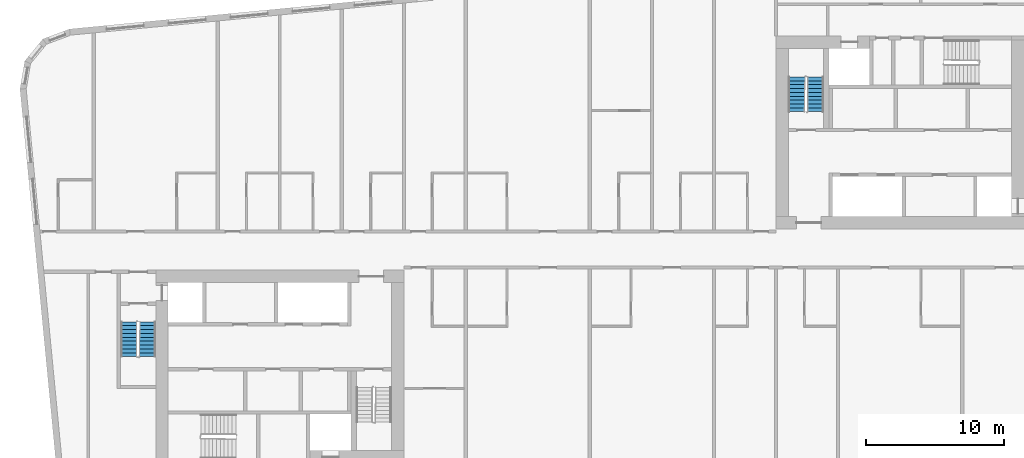
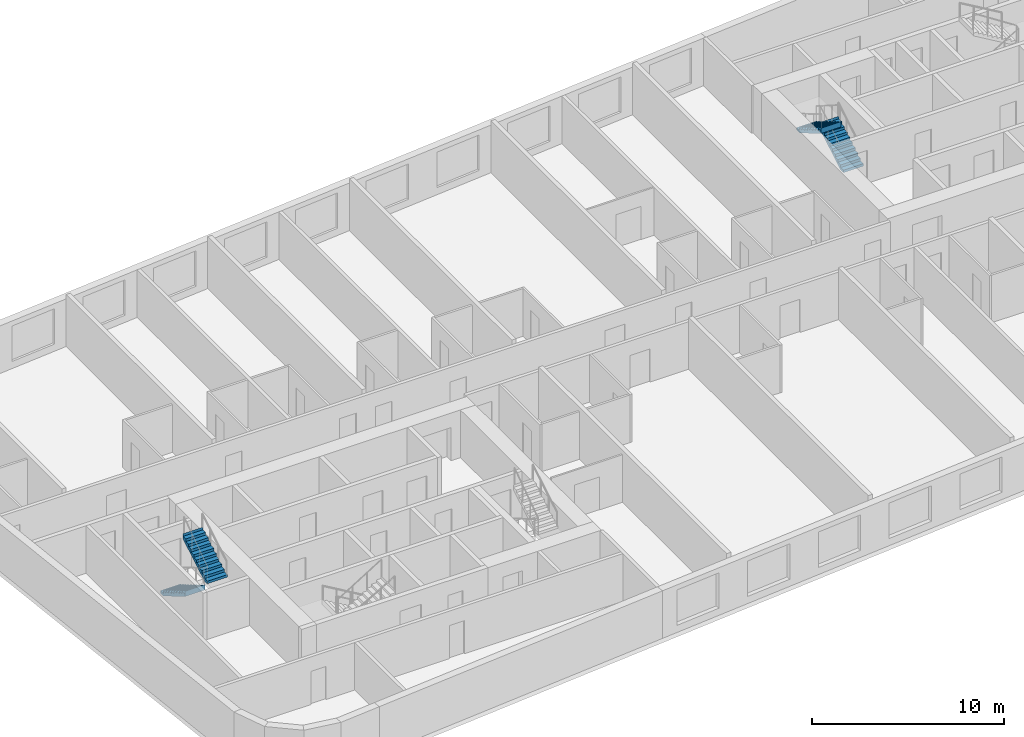
# One storey, part 9 of 11: 4 stair flights, 2 elements without a shape of their own.
"""IFC4 building model written with IfcOpenShell, lengths in metres."""

from ifc_helpers import new_model, si_unit, direction, frame, origin, place, context, subcontext, project, spatial, faceted_brep, material, type_object, element, aggregate, save


model = new_model("IFC4")

# Units and contexts
model_context = context("Model", 3, precision=1e-05, world=origin(), true_north=direction((0.0, 1.0)))
body_context = subcontext(model_context, "Body", "Model", "MODEL_VIEW")
ifc_project = project(units=[si_unit("LENGTHUNIT", "METRE"), si_unit("AREAUNIT", "SQUARE_METRE"), si_unit("VOLUMEUNIT", "CUBIC_METRE"), si_unit("PLANEANGLEUNIT", "RADIAN"), si_unit("MASSUNIT", "GRAM", prefix="KILO")], contexts=[model_context])

# Site, building, storey
site_placement = place(None, origin())
site = spatial("IfcSite", under=ifc_project, at=site_placement, CompositionType="ELEMENT")
building_placement = place(site_placement, origin())
building = spatial("IfcBuilding", under=site, at=building_placement, Name="Kajstack Hotel Tower", CompositionType="ELEMENT")
storey_placement = place(building_placement, frame((0.0, 0.0, 291.60009765625)))
storey = spatial("IfcBuildingStorey", under=building, at=storey_placement, Name="L73", CompositionType="ELEMENT", Elevation=291.60009765625)

# Stair, stair flights
ifc_material = material(Name="Concrete C40/50", Category="concrete")
stair_type = type_object("IfcStairType", Name="Exit stair 1200", PredefinedType="HALF_TURN_STAIR", material=ifc_material)
stair_1_placement = place(storey_placement, origin())
stair_1 = element("IfcStair", 1, at=stair_1_placement, inside=storey, type_object=stair_type, Name="L73 stair W1", PredefinedType="HALF_TURN_STAIR")
stair_flight_type = type_object("IfcStairFlightType", Name="Exit stair flight 1200", PredefinedType="STRAIGHT", material=ifc_material)
stair_flight_1_placement = place(storey_placement, frame((-33.449951171875, -5.25, 0.0), z_axis=(0.0, 0.0, 1.0), x_axis=(0.0, -1.0, 0.0)))
stair_flight_1 = element("IfcStairFlight", 2, at=stair_flight_1_placement, type_object=stair_flight_type, Name="W1 flight 1", NumberOfRisers=10, NumberOfTreads=9, PredefinedType="STRAIGHT", RiserHeight=0.165, TreadLength=0.28, context=body_context, shape_type="Brep", body=[
    faceted_brep([(0.295654296875, -0.60009765625, 0.0), (2.5205078125, -0.60009765625, 1.31103515625), (2.5205078125, -0.60009765625, 1.64990234375), (2.52001953125, -0.60009765625, 1.64990234375), (2.52001953125, -0.60009765625, 1.485107421875), (2.239990234375, -0.60009765625, 1.485107421875), (2.239990234375, -0.60009765625, 1.320068359375), (1.9599609375, -0.60009765625, 1.320068359375), (1.9599609375, -0.60009765625, 1.155029296875), (1.679931640625, -0.60009765625, 1.155029296875), (1.679931640625, -0.60009765625, 0.989990234375), (1.39990234375, -0.60009765625, 0.989990234375), (1.39990234375, -0.60009765625, 0.824951171875), (1.1201171875, -0.60009765625, 0.824951171875), (1.1201171875, -0.60009765625, 0.659912109375), (0.840087890625, -0.60009765625, 0.659912109375), (0.840087890625, -0.60009765625, 0.4951171875), (0.56005859375, -0.60009765625, 0.4951171875), (0.56005859375, -0.60009765625, 0.330078125), (0.280029296875, -0.60009765625, 0.330078125), (0.280029296875, -0.60009765625, 0.1650390625), (-0.00048828125, -0.60009765625, 0.1650390625), (-0.00048828125, -0.60009765625, 0.0), (-0.00048828125, 0.60009765625, 0.0), (-0.00048828125, 0.60009765625, 0.1650390625), (0.280029296875, 0.60009765625, 0.1650390625), (0.280029296875, 0.60009765625, 0.330078125), (0.56005859375, 0.60009765625, 0.330078125), (0.56005859375, 0.60009765625, 0.4951171875), (0.840087890625, 0.60009765625, 0.4951171875), (0.840087890625, 0.60009765625, 0.659912109375), (1.1201171875, 0.60009765625, 0.659912109375), (1.1201171875, 0.60009765625, 0.824951171875), (1.39990234375, 0.60009765625, 0.824951171875), (1.39990234375, 0.60009765625, 0.989990234375), (1.679931640625, 0.60009765625, 0.989990234375), (1.679931640625, 0.60009765625, 1.155029296875), (1.9599609375, 0.60009765625, 1.155029296875), (1.9599609375, 0.60009765625, 1.320068359375), (2.239990234375, 0.60009765625, 1.320068359375), (2.239990234375, 0.60009765625, 1.485107421875), (2.52001953125, 0.60009765625, 1.485107421875), (2.52001953125, 0.60009765625, 1.64990234375), (2.5205078125, 0.60009765625, 1.64990234375), (2.5205078125, 0.60009765625, 1.31103515625), (0.295654296875, 0.60009765625, 0.0), (-0.00048828125, -0.300048828125, 0.1650390625), (-0.00048828125, 0.0, 0.1650390625), (-0.00048828125, 0.300048828125, 0.1650390625), (-0.00048828125, 0.300048828125, 0.0), (-0.00048828125, 0.0, 0.0), (-0.00048828125, -0.300048828125, 0.0), (0.280029296875, -0.300048828125, 0.1650390625), (0.280029296875, 0.0, 0.1650390625), (0.280029296875, 0.300048828125, 0.1650390625), (0.280029296875, -0.300048828125, 0.330078125), (0.280029296875, 0.0, 0.330078125), (0.280029296875, 0.300048828125, 0.330078125), (0.56005859375, -0.300048828125, 0.330078125), (0.56005859375, 0.0, 0.330078125), (0.56005859375, 0.300048828125, 0.330078125), (0.56005859375, -0.300048828125, 0.4951171875), (0.56005859375, 0.0, 0.4951171875), (0.56005859375, 0.300048828125, 0.4951171875), (0.840087890625, -0.300048828125, 0.4951171875), (0.840087890625, 0.0, 0.4951171875), (0.840087890625, 0.300048828125, 0.4951171875), (0.840087890625, -0.300048828125, 0.659912109375), (0.840087890625, 0.0, 0.659912109375), (0.840087890625, 0.300048828125, 0.659912109375), (1.1201171875, -0.300048828125, 0.659912109375), (1.1201171875, 0.0, 0.659912109375), (1.1201171875, 0.300048828125, 0.659912109375), (1.1201171875, -0.300048828125, 0.824951171875), (1.1201171875, 0.0, 0.824951171875), (1.1201171875, 0.300048828125, 0.824951171875), (1.39990234375, -0.300048828125, 0.824951171875), (1.39990234375, 0.0, 0.824951171875), (1.39990234375, 0.300048828125, 0.824951171875), (1.39990234375, -0.300048828125, 0.989990234375), (1.39990234375, 0.0, 0.989990234375), (1.39990234375, 0.300048828125, 0.989990234375), (1.679931640625, -0.300048828125, 0.989990234375), (1.679931640625, 0.0, 0.989990234375), (1.679931640625, 0.300048828125, 0.989990234375), (1.679931640625, -0.300048828125, 1.155029296875), (1.679931640625, 0.0, 1.155029296875), (1.679931640625, 0.300048828125, 1.155029296875), (1.9599609375, -0.300048828125, 1.155029296875), (1.9599609375, 0.0, 1.155029296875), (1.9599609375, 0.300048828125, 1.155029296875), (1.9599609375, -0.300048828125, 1.320068359375), (1.9599609375, 0.0, 1.320068359375), (1.9599609375, 0.300048828125, 1.320068359375), (2.239990234375, -0.300048828125, 1.320068359375), (2.239990234375, 0.0, 1.320068359375), (2.239990234375, 0.300048828125, 1.320068359375), (2.239990234375, -0.300048828125, 1.485107421875), (2.239990234375, 0.0, 1.485107421875), (2.239990234375, 0.300048828125, 1.485107421875), (2.52001953125, -0.300048828125, 1.485107421875), (2.52001953125, 0.0, 1.485107421875), (2.52001953125, 0.300048828125, 1.485107421875), (2.52001953125, -0.300048828125, 1.64990234375), (2.52001953125, 0.0, 1.64990234375), (2.52001953125, 0.300048828125, 1.64990234375), (2.5205078125, -0.300048828125, 1.64990234375), (2.5205078125, 0.0, 1.64990234375), (2.5205078125, 0.300048828125, 1.64990234375), (2.5205078125, -0.300048828125, 1.31103515625), (2.5205078125, 0.0, 1.31103515625), (2.5205078125, 0.300048828125, 1.31103515625), (0.295654296875, -0.300048828125, 0.0), (0.295654296875, 0.0, 0.0), (0.295654296875, 0.300048828125, 0.0)], [[[0, 1, 2, 3, 4, 5, 6, 7, 8, 9, 10, 11, 12, 13, 14, 15, 16, 17, 18, 19, 20, 21, 22]], [[23, 24, 25, 26, 27, 28, 29, 30, 31, 32, 33, 34, 35, 36, 37, 38, 39, 40, 41, 42, 43, 44, 45]], [[21, 46, 47, 48, 24, 23, 49, 50, 51, 22]], [[20, 52, 53, 54, 25, 24, 48, 47, 46, 21]], [[19, 55, 56, 57, 26, 25, 54, 53, 52, 20]], [[18, 58, 59, 60, 27, 26, 57, 56, 55, 19]], [[17, 61, 62, 63, 28, 27, 60, 59, 58, 18]], [[16, 64, 65, 66, 29, 28, 63, 62, 61, 17]], [[15, 67, 68, 69, 30, 29, 66, 65, 64, 16]], [[14, 70, 71, 72, 31, 30, 69, 68, 67, 15]], [[13, 73, 74, 75, 32, 31, 72, 71, 70, 14]], [[12, 76, 77, 78, 33, 32, 75, 74, 73, 13]], [[11, 79, 80, 81, 34, 33, 78, 77, 76, 12]], [[10, 82, 83, 84, 35, 34, 81, 80, 79, 11]], [[9, 85, 86, 87, 36, 35, 84, 83, 82, 10]], [[8, 88, 89, 90, 37, 36, 87, 86, 85, 9]], [[7, 91, 92, 93, 38, 37, 90, 89, 88, 8]], [[6, 94, 95, 96, 39, 38, 93, 92, 91, 7]], [[5, 97, 98, 99, 40, 39, 96, 95, 94, 6]], [[4, 100, 101, 102, 41, 40, 99, 98, 97, 5]], [[3, 103, 104, 105, 42, 41, 102, 101, 100, 4]], [[2, 106, 107, 108, 43, 42, 105, 104, 103, 3]], [[1, 109, 110, 111, 44, 43, 108, 107, 106, 2]], [[0, 112, 113, 114, 45, 44, 111, 110, 109, 1]], [[22, 51, 50, 49, 23, 45, 114, 113, 112, 0]]]),
])
stair_flight_2_placement = place(storey_placement, frame((-32.10009765625, -7.77001953125, 1.64990234375), z_axis=(0.0, 0.0, 1.0), x_axis=(0.0, 1.0, 0.0)))
stair_flight_2 = element("IfcStairFlight", 3, at=stair_flight_2_placement, type_object=stair_flight_type, Name="W1 flight 2", NumberOfRisers=10, NumberOfTreads=9, PredefinedType="STRAIGHT", RiserHeight=0.165, TreadLength=0.28, context=body_context, shape_type="Brep", body=[
    faceted_brep([(0.295654296875, -0.60009765625, 0.0), (2.5205078125, -0.60009765625, 1.31103515625), (2.5205078125, -0.60009765625, 1.64990234375), (2.52001953125, -0.60009765625, 1.64990234375), (2.52001953125, -0.60009765625, 1.485107421875), (2.239990234375, -0.60009765625, 1.485107421875), (2.239990234375, -0.60009765625, 1.320068359375), (1.9599609375, -0.60009765625, 1.320068359375), (1.9599609375, -0.60009765625, 1.155029296875), (1.679931640625, -0.60009765625, 1.155029296875), (1.679931640625, -0.60009765625, 0.989990234375), (1.39990234375, -0.60009765625, 0.989990234375), (1.39990234375, -0.60009765625, 0.824951171875), (1.1201171875, -0.60009765625, 0.824951171875), (1.1201171875, -0.60009765625, 0.659912109375), (0.840087890625, -0.60009765625, 0.659912109375), (0.840087890625, -0.60009765625, 0.4951171875), (0.56005859375, -0.60009765625, 0.4951171875), (0.56005859375, -0.60009765625, 0.330078125), (0.280029296875, -0.60009765625, 0.330078125), (0.280029296875, -0.60009765625, 0.1650390625), (-0.00048828125, -0.60009765625, 0.1650390625), (-0.00048828125, -0.60009765625, 0.0), (-0.00048828125, 0.60009765625, 0.0), (-0.00048828125, 0.60009765625, 0.1650390625), (0.280029296875, 0.60009765625, 0.1650390625), (0.280029296875, 0.60009765625, 0.330078125), (0.56005859375, 0.60009765625, 0.330078125), (0.56005859375, 0.60009765625, 0.4951171875), (0.840087890625, 0.60009765625, 0.4951171875), (0.840087890625, 0.60009765625, 0.659912109375), (1.1201171875, 0.60009765625, 0.659912109375), (1.1201171875, 0.60009765625, 0.824951171875), (1.39990234375, 0.60009765625, 0.824951171875), (1.39990234375, 0.60009765625, 0.989990234375), (1.679931640625, 0.60009765625, 0.989990234375), (1.679931640625, 0.60009765625, 1.155029296875), (1.9599609375, 0.60009765625, 1.155029296875), (1.9599609375, 0.60009765625, 1.320068359375), (2.239990234375, 0.60009765625, 1.320068359375), (2.239990234375, 0.60009765625, 1.485107421875), (2.52001953125, 0.60009765625, 1.485107421875), (2.52001953125, 0.60009765625, 1.64990234375), (2.5205078125, 0.60009765625, 1.64990234375), (2.5205078125, 0.60009765625, 1.31103515625), (0.295654296875, 0.60009765625, 0.0), (-0.00048828125, -0.300048828125, 0.1650390625), (-0.00048828125, 0.0, 0.1650390625), (-0.00048828125, 0.300048828125, 0.1650390625), (-0.00048828125, 0.300048828125, 0.0), (-0.00048828125, 0.0, 0.0), (-0.00048828125, -0.300048828125, 0.0), (0.280029296875, -0.300048828125, 0.1650390625), (0.280029296875, 0.0, 0.1650390625), (0.280029296875, 0.300048828125, 0.1650390625), (0.280029296875, -0.300048828125, 0.330078125), (0.280029296875, 0.0, 0.330078125), (0.280029296875, 0.300048828125, 0.330078125), (0.56005859375, -0.300048828125, 0.330078125), (0.56005859375, 0.0, 0.330078125), (0.56005859375, 0.300048828125, 0.330078125), (0.56005859375, -0.300048828125, 0.4951171875), (0.56005859375, 0.0, 0.4951171875), (0.56005859375, 0.300048828125, 0.4951171875), (0.840087890625, -0.300048828125, 0.4951171875), (0.840087890625, 0.0, 0.4951171875), (0.840087890625, 0.300048828125, 0.4951171875), (0.840087890625, -0.300048828125, 0.659912109375), (0.840087890625, 0.0, 0.659912109375), (0.840087890625, 0.300048828125, 0.659912109375), (1.1201171875, -0.300048828125, 0.659912109375), (1.1201171875, 0.0, 0.659912109375), (1.1201171875, 0.300048828125, 0.659912109375), (1.1201171875, -0.300048828125, 0.824951171875), (1.1201171875, 0.0, 0.824951171875), (1.1201171875, 0.300048828125, 0.824951171875), (1.39990234375, -0.300048828125, 0.824951171875), (1.39990234375, 0.0, 0.824951171875), (1.39990234375, 0.300048828125, 0.824951171875), (1.39990234375, -0.300048828125, 0.989990234375), (1.39990234375, 0.0, 0.989990234375), (1.39990234375, 0.300048828125, 0.989990234375), (1.679931640625, -0.300048828125, 0.989990234375), (1.679931640625, 0.0, 0.989990234375), (1.679931640625, 0.300048828125, 0.989990234375), (1.679931640625, -0.300048828125, 1.155029296875), (1.679931640625, 0.0, 1.155029296875), (1.679931640625, 0.300048828125, 1.155029296875), (1.9599609375, -0.300048828125, 1.155029296875), (1.9599609375, 0.0, 1.155029296875), (1.9599609375, 0.300048828125, 1.155029296875), (1.9599609375, -0.300048828125, 1.320068359375), (1.9599609375, 0.0, 1.320068359375), (1.9599609375, 0.300048828125, 1.320068359375), (2.239990234375, -0.300048828125, 1.320068359375), (2.239990234375, 0.0, 1.320068359375), (2.239990234375, 0.300048828125, 1.320068359375), (2.239990234375, -0.300048828125, 1.485107421875), (2.239990234375, 0.0, 1.485107421875), (2.239990234375, 0.300048828125, 1.485107421875), (2.52001953125, -0.300048828125, 1.485107421875), (2.52001953125, 0.0, 1.485107421875), (2.52001953125, 0.300048828125, 1.485107421875), (2.52001953125, -0.300048828125, 1.64990234375), (2.52001953125, 0.0, 1.64990234375), (2.52001953125, 0.300048828125, 1.64990234375), (2.5205078125, -0.300048828125, 1.64990234375), (2.5205078125, 0.0, 1.64990234375), (2.5205078125, 0.300048828125, 1.64990234375), (2.5205078125, -0.300048828125, 1.31103515625), (2.5205078125, 0.0, 1.31103515625), (2.5205078125, 0.300048828125, 1.31103515625), (0.295654296875, -0.300048828125, 0.0), (0.295654296875, 0.0, 0.0), (0.295654296875, 0.300048828125, 0.0)], [[[0, 1, 2, 3, 4, 5, 6, 7, 8, 9, 10, 11, 12, 13, 14, 15, 16, 17, 18, 19, 20, 21, 22]], [[23, 24, 25, 26, 27, 28, 29, 30, 31, 32, 33, 34, 35, 36, 37, 38, 39, 40, 41, 42, 43, 44, 45]], [[21, 46, 47, 48, 24, 23, 49, 50, 51, 22]], [[20, 52, 53, 54, 25, 24, 48, 47, 46, 21]], [[19, 55, 56, 57, 26, 25, 54, 53, 52, 20]], [[18, 58, 59, 60, 27, 26, 57, 56, 55, 19]], [[17, 61, 62, 63, 28, 27, 60, 59, 58, 18]], [[16, 64, 65, 66, 29, 28, 63, 62, 61, 17]], [[15, 67, 68, 69, 30, 29, 66, 65, 64, 16]], [[14, 70, 71, 72, 31, 30, 69, 68, 67, 15]], [[13, 73, 74, 75, 32, 31, 72, 71, 70, 14]], [[12, 76, 77, 78, 33, 32, 75, 74, 73, 13]], [[11, 79, 80, 81, 34, 33, 78, 77, 76, 12]], [[10, 82, 83, 84, 35, 34, 81, 80, 79, 11]], [[9, 85, 86, 87, 36, 35, 84, 83, 82, 10]], [[8, 88, 89, 90, 37, 36, 87, 86, 85, 9]], [[7, 91, 92, 93, 38, 37, 90, 89, 88, 8]], [[6, 94, 95, 96, 39, 38, 93, 92, 91, 7]], [[5, 97, 98, 99, 40, 39, 96, 95, 94, 6]], [[4, 100, 101, 102, 41, 40, 99, 98, 97, 5]], [[3, 103, 104, 105, 42, 41, 102, 101, 100, 4]], [[2, 106, 107, 108, 43, 42, 105, 104, 103, 3]], [[1, 109, 110, 111, 44, 43, 108, 107, 106, 2]], [[0, 112, 113, 114, 45, 44, 111, 110, 109, 1]], [[22, 51, 50, 49, 23, 45, 114, 113, 112, 0]]]),
])
aggregate(stair_1, [stair_flight_1, stair_flight_2])

stair_2_placement = place(storey_placement, origin())
stair_2 = element("IfcStair", 4, at=stair_2_placement, inside=storey, type_object=stair_type, Name="L73 stair E2", PredefinedType="HALF_TURN_STAIR")
stair_flight_3_placement = place(storey_placement, frame((16.35009765625, 10.0, 0.0), z_axis=(0.0, 0.0, 1.0), x_axis=(0.0, 1.0, 0.0)))
stair_flight_3 = element("IfcStairFlight", 5, at=stair_flight_3_placement, type_object=stair_flight_type, Name="E2 flight 1", NumberOfRisers=10, NumberOfTreads=9, PredefinedType="STRAIGHT", RiserHeight=0.165, TreadLength=0.28, context=body_context, shape_type="Brep", body=[
    faceted_brep([(0.295654296875, -0.60009765625, 0.0), (2.5205078125, -0.60009765625, 1.31103515625), (2.5205078125, -0.60009765625, 1.64990234375), (2.52001953125, -0.60009765625, 1.64990234375), (2.52001953125, -0.60009765625, 1.485107421875), (2.239990234375, -0.60009765625, 1.485107421875), (2.239990234375, -0.60009765625, 1.320068359375), (1.9599609375, -0.60009765625, 1.320068359375), (1.9599609375, -0.60009765625, 1.155029296875), (1.679931640625, -0.60009765625, 1.155029296875), (1.679931640625, -0.60009765625, 0.989990234375), (1.39990234375, -0.60009765625, 0.989990234375), (1.39990234375, -0.60009765625, 0.824951171875), (1.1201171875, -0.60009765625, 0.824951171875), (1.1201171875, -0.60009765625, 0.659912109375), (0.840087890625, -0.60009765625, 0.659912109375), (0.840087890625, -0.60009765625, 0.4951171875), (0.56005859375, -0.60009765625, 0.4951171875), (0.56005859375, -0.60009765625, 0.330078125), (0.280029296875, -0.60009765625, 0.330078125), (0.280029296875, -0.60009765625, 0.1650390625), (-0.00048828125, -0.60009765625, 0.1650390625), (-0.00048828125, -0.60009765625, 0.0), (-0.00048828125, 0.60009765625, 0.0), (-0.00048828125, 0.60009765625, 0.1650390625), (0.280029296875, 0.60009765625, 0.1650390625), (0.280029296875, 0.60009765625, 0.330078125), (0.56005859375, 0.60009765625, 0.330078125), (0.56005859375, 0.60009765625, 0.4951171875), (0.840087890625, 0.60009765625, 0.4951171875), (0.840087890625, 0.60009765625, 0.659912109375), (1.1201171875, 0.60009765625, 0.659912109375), (1.1201171875, 0.60009765625, 0.824951171875), (1.39990234375, 0.60009765625, 0.824951171875), (1.39990234375, 0.60009765625, 0.989990234375), (1.679931640625, 0.60009765625, 0.989990234375), (1.679931640625, 0.60009765625, 1.155029296875), (1.9599609375, 0.60009765625, 1.155029296875), (1.9599609375, 0.60009765625, 1.320068359375), (2.239990234375, 0.60009765625, 1.320068359375), (2.239990234375, 0.60009765625, 1.485107421875), (2.52001953125, 0.60009765625, 1.485107421875), (2.52001953125, 0.60009765625, 1.64990234375), (2.5205078125, 0.60009765625, 1.64990234375), (2.5205078125, 0.60009765625, 1.31103515625), (0.295654296875, 0.60009765625, 0.0), (-0.00048828125, -0.300048828125, 0.1650390625), (-0.00048828125, 0.0, 0.1650390625), (-0.00048828125, 0.300048828125, 0.1650390625), (-0.00048828125, 0.300048828125, 0.0), (-0.00048828125, 0.0, 0.0), (-0.00048828125, -0.300048828125, 0.0), (0.280029296875, -0.300048828125, 0.1650390625), (0.280029296875, 0.0, 0.1650390625), (0.280029296875, 0.300048828125, 0.1650390625), (0.280029296875, -0.300048828125, 0.330078125), (0.280029296875, 0.0, 0.330078125), (0.280029296875, 0.300048828125, 0.330078125), (0.56005859375, -0.300048828125, 0.330078125), (0.56005859375, 0.0, 0.330078125), (0.56005859375, 0.300048828125, 0.330078125), (0.56005859375, -0.300048828125, 0.4951171875), (0.56005859375, 0.0, 0.4951171875), (0.56005859375, 0.300048828125, 0.4951171875), (0.840087890625, -0.300048828125, 0.4951171875), (0.840087890625, 0.0, 0.4951171875), (0.840087890625, 0.300048828125, 0.4951171875), (0.840087890625, -0.300048828125, 0.659912109375), (0.840087890625, 0.0, 0.659912109375), (0.840087890625, 0.300048828125, 0.659912109375), (1.1201171875, -0.300048828125, 0.659912109375), (1.1201171875, 0.0, 0.659912109375), (1.1201171875, 0.300048828125, 0.659912109375), (1.1201171875, -0.300048828125, 0.824951171875), (1.1201171875, 0.0, 0.824951171875), (1.1201171875, 0.300048828125, 0.824951171875), (1.39990234375, -0.300048828125, 0.824951171875), (1.39990234375, 0.0, 0.824951171875), (1.39990234375, 0.300048828125, 0.824951171875), (1.39990234375, -0.300048828125, 0.989990234375), (1.39990234375, 0.0, 0.989990234375), (1.39990234375, 0.300048828125, 0.989990234375), (1.679931640625, -0.300048828125, 0.989990234375), (1.679931640625, 0.0, 0.989990234375), (1.679931640625, 0.300048828125, 0.989990234375), (1.679931640625, -0.300048828125, 1.155029296875), (1.679931640625, 0.0, 1.155029296875), (1.679931640625, 0.300048828125, 1.155029296875), (1.9599609375, -0.300048828125, 1.155029296875), (1.9599609375, 0.0, 1.155029296875), (1.9599609375, 0.300048828125, 1.155029296875), (1.9599609375, -0.300048828125, 1.320068359375), (1.9599609375, 0.0, 1.320068359375), (1.9599609375, 0.300048828125, 1.320068359375), (2.239990234375, -0.300048828125, 1.320068359375), (2.239990234375, 0.0, 1.320068359375), (2.239990234375, 0.300048828125, 1.320068359375), (2.239990234375, -0.300048828125, 1.485107421875), (2.239990234375, 0.0, 1.485107421875), (2.239990234375, 0.300048828125, 1.485107421875), (2.52001953125, -0.300048828125, 1.485107421875), (2.52001953125, 0.0, 1.485107421875), (2.52001953125, 0.300048828125, 1.485107421875), (2.52001953125, -0.300048828125, 1.64990234375), (2.52001953125, 0.0, 1.64990234375), (2.52001953125, 0.300048828125, 1.64990234375), (2.5205078125, -0.300048828125, 1.64990234375), (2.5205078125, 0.0, 1.64990234375), (2.5205078125, 0.300048828125, 1.64990234375), (2.5205078125, -0.300048828125, 1.31103515625), (2.5205078125, 0.0, 1.31103515625), (2.5205078125, 0.300048828125, 1.31103515625), (0.295654296875, -0.300048828125, 0.0), (0.295654296875, 0.0, 0.0), (0.295654296875, 0.300048828125, 0.0)], [[[0, 1, 2, 3, 4, 5, 6, 7, 8, 9, 10, 11, 12, 13, 14, 15, 16, 17, 18, 19, 20, 21, 22]], [[23, 24, 25, 26, 27, 28, 29, 30, 31, 32, 33, 34, 35, 36, 37, 38, 39, 40, 41, 42, 43, 44, 45]], [[21, 46, 47, 48, 24, 23, 49, 50, 51, 22]], [[20, 52, 53, 54, 25, 24, 48, 47, 46, 21]], [[19, 55, 56, 57, 26, 25, 54, 53, 52, 20]], [[18, 58, 59, 60, 27, 26, 57, 56, 55, 19]], [[17, 61, 62, 63, 28, 27, 60, 59, 58, 18]], [[16, 64, 65, 66, 29, 28, 63, 62, 61, 17]], [[15, 67, 68, 69, 30, 29, 66, 65, 64, 16]], [[14, 70, 71, 72, 31, 30, 69, 68, 67, 15]], [[13, 73, 74, 75, 32, 31, 72, 71, 70, 14]], [[12, 76, 77, 78, 33, 32, 75, 74, 73, 13]], [[11, 79, 80, 81, 34, 33, 78, 77, 76, 12]], [[10, 82, 83, 84, 35, 34, 81, 80, 79, 11]], [[9, 85, 86, 87, 36, 35, 84, 83, 82, 10]], [[8, 88, 89, 90, 37, 36, 87, 86, 85, 9]], [[7, 91, 92, 93, 38, 37, 90, 89, 88, 8]], [[6, 94, 95, 96, 39, 38, 93, 92, 91, 7]], [[5, 97, 98, 99, 40, 39, 96, 95, 94, 6]], [[4, 100, 101, 102, 41, 40, 99, 98, 97, 5]], [[3, 103, 104, 105, 42, 41, 102, 101, 100, 4]], [[2, 106, 107, 108, 43, 42, 105, 104, 103, 3]], [[1, 109, 110, 111, 44, 43, 108, 107, 106, 2]], [[0, 112, 113, 114, 45, 44, 111, 110, 109, 1]], [[22, 51, 50, 49, 23, 45, 114, 113, 112, 0]]]),
])
stair_flight_4_placement = place(storey_placement, frame((15.0, 12.52001953125, 1.64990234375), z_axis=(0.0, 0.0, 1.0), x_axis=(0.0, -1.0, 0.0)))
stair_flight_4 = element("IfcStairFlight", 6, at=stair_flight_4_placement, type_object=stair_flight_type, Name="E2 flight 2", NumberOfRisers=10, NumberOfTreads=9, PredefinedType="STRAIGHT", RiserHeight=0.165, TreadLength=0.28, context=body_context, shape_type="Brep", body=[
    faceted_brep([(0.295654296875, -0.60009765625, 0.0), (2.5205078125, -0.60009765625, 1.31103515625), (2.5205078125, -0.60009765625, 1.64990234375), (2.52001953125, -0.60009765625, 1.64990234375), (2.52001953125, -0.60009765625, 1.485107421875), (2.239990234375, -0.60009765625, 1.485107421875), (2.239990234375, -0.60009765625, 1.320068359375), (1.9599609375, -0.60009765625, 1.320068359375), (1.9599609375, -0.60009765625, 1.155029296875), (1.679931640625, -0.60009765625, 1.155029296875), (1.679931640625, -0.60009765625, 0.989990234375), (1.39990234375, -0.60009765625, 0.989990234375), (1.39990234375, -0.60009765625, 0.824951171875), (1.1201171875, -0.60009765625, 0.824951171875), (1.1201171875, -0.60009765625, 0.659912109375), (0.840087890625, -0.60009765625, 0.659912109375), (0.840087890625, -0.60009765625, 0.4951171875), (0.56005859375, -0.60009765625, 0.4951171875), (0.56005859375, -0.60009765625, 0.330078125), (0.280029296875, -0.60009765625, 0.330078125), (0.280029296875, -0.60009765625, 0.1650390625), (-0.00048828125, -0.60009765625, 0.1650390625), (-0.00048828125, -0.60009765625, 0.0), (-0.00048828125, 0.60009765625, 0.0), (-0.00048828125, 0.60009765625, 0.1650390625), (0.280029296875, 0.60009765625, 0.1650390625), (0.280029296875, 0.60009765625, 0.330078125), (0.56005859375, 0.60009765625, 0.330078125), (0.56005859375, 0.60009765625, 0.4951171875), (0.840087890625, 0.60009765625, 0.4951171875), (0.840087890625, 0.60009765625, 0.659912109375), (1.1201171875, 0.60009765625, 0.659912109375), (1.1201171875, 0.60009765625, 0.824951171875), (1.39990234375, 0.60009765625, 0.824951171875), (1.39990234375, 0.60009765625, 0.989990234375), (1.679931640625, 0.60009765625, 0.989990234375), (1.679931640625, 0.60009765625, 1.155029296875), (1.9599609375, 0.60009765625, 1.155029296875), (1.9599609375, 0.60009765625, 1.320068359375), (2.239990234375, 0.60009765625, 1.320068359375), (2.239990234375, 0.60009765625, 1.485107421875), (2.52001953125, 0.60009765625, 1.485107421875), (2.52001953125, 0.60009765625, 1.64990234375), (2.5205078125, 0.60009765625, 1.64990234375), (2.5205078125, 0.60009765625, 1.31103515625), (0.295654296875, 0.60009765625, 0.0), (-0.00048828125, -0.300048828125, 0.1650390625), (-0.00048828125, 0.0, 0.1650390625), (-0.00048828125, 0.300048828125, 0.1650390625), (-0.00048828125, 0.300048828125, 0.0), (-0.00048828125, 0.0, 0.0), (-0.00048828125, -0.300048828125, 0.0), (0.280029296875, -0.300048828125, 0.1650390625), (0.280029296875, 0.0, 0.1650390625), (0.280029296875, 0.300048828125, 0.1650390625), (0.280029296875, -0.300048828125, 0.330078125), (0.280029296875, 0.0, 0.330078125), (0.280029296875, 0.300048828125, 0.330078125), (0.56005859375, -0.300048828125, 0.330078125), (0.56005859375, 0.0, 0.330078125), (0.56005859375, 0.300048828125, 0.330078125), (0.56005859375, -0.300048828125, 0.4951171875), (0.56005859375, 0.0, 0.4951171875), (0.56005859375, 0.300048828125, 0.4951171875), (0.840087890625, -0.300048828125, 0.4951171875), (0.840087890625, 0.0, 0.4951171875), (0.840087890625, 0.300048828125, 0.4951171875), (0.840087890625, -0.300048828125, 0.659912109375), (0.840087890625, 0.0, 0.659912109375), (0.840087890625, 0.300048828125, 0.659912109375), (1.1201171875, -0.300048828125, 0.659912109375), (1.1201171875, 0.0, 0.659912109375), (1.1201171875, 0.300048828125, 0.659912109375), (1.1201171875, -0.300048828125, 0.824951171875), (1.1201171875, 0.0, 0.824951171875), (1.1201171875, 0.300048828125, 0.824951171875), (1.39990234375, -0.300048828125, 0.824951171875), (1.39990234375, 0.0, 0.824951171875), (1.39990234375, 0.300048828125, 0.824951171875), (1.39990234375, -0.300048828125, 0.989990234375), (1.39990234375, 0.0, 0.989990234375), (1.39990234375, 0.300048828125, 0.989990234375), (1.679931640625, -0.300048828125, 0.989990234375), (1.679931640625, 0.0, 0.989990234375), (1.679931640625, 0.300048828125, 0.989990234375), (1.679931640625, -0.300048828125, 1.155029296875), (1.679931640625, 0.0, 1.155029296875), (1.679931640625, 0.300048828125, 1.155029296875), (1.9599609375, -0.300048828125, 1.155029296875), (1.9599609375, 0.0, 1.155029296875), (1.9599609375, 0.300048828125, 1.155029296875), (1.9599609375, -0.300048828125, 1.320068359375), (1.9599609375, 0.0, 1.320068359375), (1.9599609375, 0.300048828125, 1.320068359375), (2.239990234375, -0.300048828125, 1.320068359375), (2.239990234375, 0.0, 1.320068359375), (2.239990234375, 0.300048828125, 1.320068359375), (2.239990234375, -0.300048828125, 1.485107421875), (2.239990234375, 0.0, 1.485107421875), (2.239990234375, 0.300048828125, 1.485107421875), (2.52001953125, -0.300048828125, 1.485107421875), (2.52001953125, 0.0, 1.485107421875), (2.52001953125, 0.300048828125, 1.485107421875), (2.52001953125, -0.300048828125, 1.64990234375), (2.52001953125, 0.0, 1.64990234375), (2.52001953125, 0.300048828125, 1.64990234375), (2.5205078125, -0.300048828125, 1.64990234375), (2.5205078125, 0.0, 1.64990234375), (2.5205078125, 0.300048828125, 1.64990234375), (2.5205078125, -0.300048828125, 1.31103515625), (2.5205078125, 0.0, 1.31103515625), (2.5205078125, 0.300048828125, 1.31103515625), (0.295654296875, -0.300048828125, 0.0), (0.295654296875, 0.0, 0.0), (0.295654296875, 0.300048828125, 0.0)], [[[0, 1, 2, 3, 4, 5, 6, 7, 8, 9, 10, 11, 12, 13, 14, 15, 16, 17, 18, 19, 20, 21, 22]], [[23, 24, 25, 26, 27, 28, 29, 30, 31, 32, 33, 34, 35, 36, 37, 38, 39, 40, 41, 42, 43, 44, 45]], [[21, 46, 47, 48, 24, 23, 49, 50, 51, 22]], [[20, 52, 53, 54, 25, 24, 48, 47, 46, 21]], [[19, 55, 56, 57, 26, 25, 54, 53, 52, 20]], [[18, 58, 59, 60, 27, 26, 57, 56, 55, 19]], [[17, 61, 62, 63, 28, 27, 60, 59, 58, 18]], [[16, 64, 65, 66, 29, 28, 63, 62, 61, 17]], [[15, 67, 68, 69, 30, 29, 66, 65, 64, 16]], [[14, 70, 71, 72, 31, 30, 69, 68, 67, 15]], [[13, 73, 74, 75, 32, 31, 72, 71, 70, 14]], [[12, 76, 77, 78, 33, 32, 75, 74, 73, 13]], [[11, 79, 80, 81, 34, 33, 78, 77, 76, 12]], [[10, 82, 83, 84, 35, 34, 81, 80, 79, 11]], [[9, 85, 86, 87, 36, 35, 84, 83, 82, 10]], [[8, 88, 89, 90, 37, 36, 87, 86, 85, 9]], [[7, 91, 92, 93, 38, 37, 90, 89, 88, 8]], [[6, 94, 95, 96, 39, 38, 93, 92, 91, 7]], [[5, 97, 98, 99, 40, 39, 96, 95, 94, 6]], [[4, 100, 101, 102, 41, 40, 99, 98, 97, 5]], [[3, 103, 104, 105, 42, 41, 102, 101, 100, 4]], [[2, 106, 107, 108, 43, 42, 105, 104, 103, 3]], [[1, 109, 110, 111, 44, 43, 108, 107, 106, 2]], [[0, 112, 113, 114, 45, 44, 111, 110, 109, 1]], [[22, 51, 50, 49, 23, 45, 114, 113, 112, 0]]]),
])
aggregate(stair_2, [stair_flight_3, stair_flight_4])

save(model, "model.ifc")
